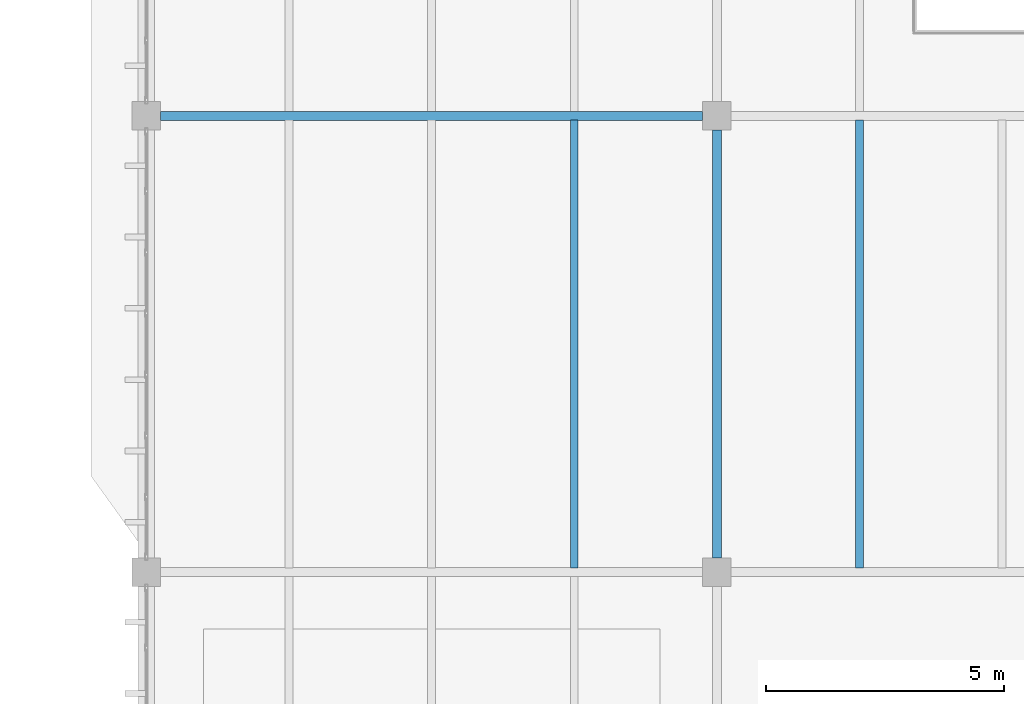
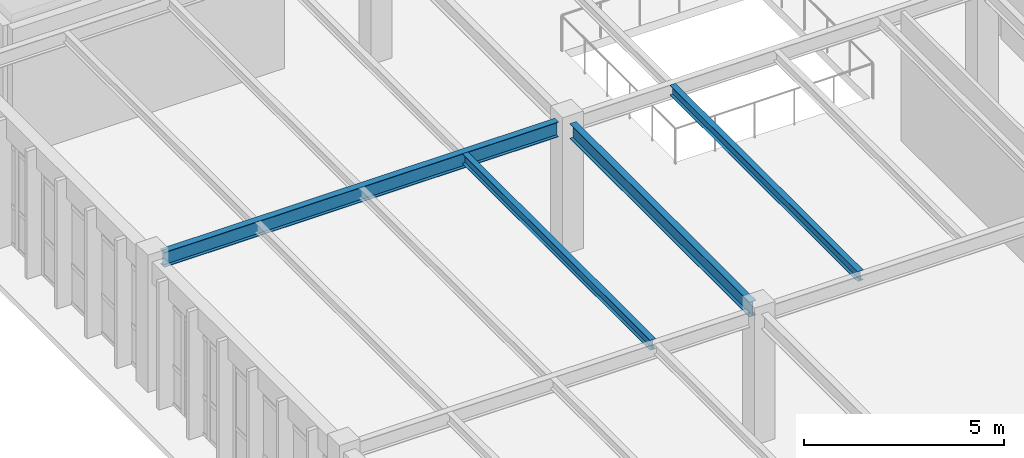
# One storey, part 33 of 83: 4 beams.
"""IFC4 building model written with IfcOpenShell, lengths in metres."""

from ifc_helpers import new_model, si_unit, direction, frame, origin, origin_2d, place, context, subcontext, project, spatial, i_section, extrude, material, material_profile, profile_set, type_object, element, save


model = new_model("IFC4")

# Units and contexts
model_context = context("Model", 3, precision=1e-05, world=origin(), true_north=direction((0.0, 1.0)))
body_context = subcontext(model_context, "Body", "Model", "MODEL_VIEW")
ifc_project = project(units=[si_unit("LENGTHUNIT", "METRE"), si_unit("AREAUNIT", "SQUARE_METRE"), si_unit("VOLUMEUNIT", "CUBIC_METRE"), si_unit("PLANEANGLEUNIT", "RADIAN"), si_unit("MASSUNIT", "GRAM", prefix="KILO")], contexts=[model_context])

# Site, building, storey
site_placement = place(None, origin())
site = spatial("IfcSite", under=ifc_project, at=site_placement, CompositionType="ELEMENT")
building_placement = place(site_placement, origin())
building = spatial("IfcBuilding", under=site, at=building_placement, Name="Pandanus Reach Market Hall", CompositionType="ELEMENT")
storey_placement = place(building_placement, frame((0.0, 0.0, 10.199951171875)))
storey = spatial("IfcBuildingStorey", under=building, at=storey_placement, Name="L02", CompositionType="ELEMENT", Elevation=10.199951171875)

# Beams
ifc_material = material(Name="Steel Grade 350 (350 MPa)", Category="steel")
ifc_material_profile_1 = material_profile(ifc_material, i_section(OverallWidth=0.18994140625, OverallDepth=0.45703125, WebThickness=0.009033203125, FlangeThickness=0.014404296875, at=origin_2d()), Name="460UB74.6", Category="LoadBearing")
ifc_profile_set_1 = profile_set([ifc_material_profile_1], Name="Steel Grade 350 (350 MPa)")
beam_type_1 = type_object("IfcBeamType", Name="BM-UB460-I", PredefinedType="BEAM", material=ifc_profile_set_1)
beam_1_placement = place(storey_placement, frame((144.298095703125, 38.39990234375, 3.72119140625), z_axis=(1.0, 0.0, 0.0), x_axis=(0.0, 1.0, 0.0)))
element("IfcBeam", 1, at=beam_1_placement, inside=storey, type_object=beam_type_1, Name="Framing beam BM-UB460-I L02.443", PredefinedType="BEAM", context=body_context, shape_type="SweptSolid", body=[
    extrude(i_section(OverallWidth=0.18994140625, OverallDepth=0.45703125, WebThickness=0.009033203125, FlangeThickness=0.014404296875, at=origin_2d()), origin(), (0.0, 0.0, 1.0), 11.40380859375),
])
beam_2_placement = place(storey_placement, frame((156.0, 29.097900390625, 3.72119140625), z_axis=(0.0, 1.0, 0.0), x_axis=(-1.0, 0.0, 0.0)))
element("IfcBeam", 2, at=beam_2_placement, inside=storey, type_object=beam_type_1, Name="Framing beam BM-UB460-I L02.469", PredefinedType="BEAM", context=body_context, shape_type="SweptSolid", body=[
    extrude(i_section(OverallWidth=0.18994140625, OverallDepth=0.45703125, WebThickness=0.009033203125, FlangeThickness=0.014404296875, at=origin_2d()), origin(), (0.0, 0.0, 1.0), 9.004150390625),
])
ifc_material_profile_2 = material_profile(ifc_material, i_section(OverallWidth=0.1650390625, OverallDepth=0.303955078125, WebThickness=0.006103515625, FlangeThickness=0.01025390625, at=origin_2d()), Name="310UB40.4", Category="LoadBearing")
ifc_profile_set_2 = profile_set([ifc_material_profile_2], Name="Steel Grade 350 (350 MPa)")
beam_type_2 = type_object("IfcBeamType", Name="JS-UB310-I", PredefinedType="JOIST", material=ifc_profile_set_2)
for number, where, z_axis, x_axis, name in (
    (3, (153.0, 28.89306640625, 3.797607421875), (0.0, 1.0, 0.0), (-1.0, 0.0, 0.0), "Secondary joist JS-UB310-I L02.494"),
    (4, (159.0, 28.89306640625, 3.797607421875), (0.0, 1.0, 0.0), (-1.0, 0.0, 0.0), "Secondary joist JS-UB310-I L02.507"),
):
    element("IfcBeam", number, at=place(storey_placement, frame(where, z_axis=z_axis, x_axis=x_axis)), inside=storey, type_object=beam_type_2, Name=name, PredefinedType="JOIST", context=body_context, shape_type="SweptSolid", body=[
        extrude(i_section(OverallWidth=0.1650390625, OverallDepth=0.303955078125, WebThickness=0.006103515625, FlangeThickness=0.01025390625, at=origin_2d()), origin(), (0.0, 0.0, 1.0), 9.413818359375),
    ])

save(model, "model.ifc")
